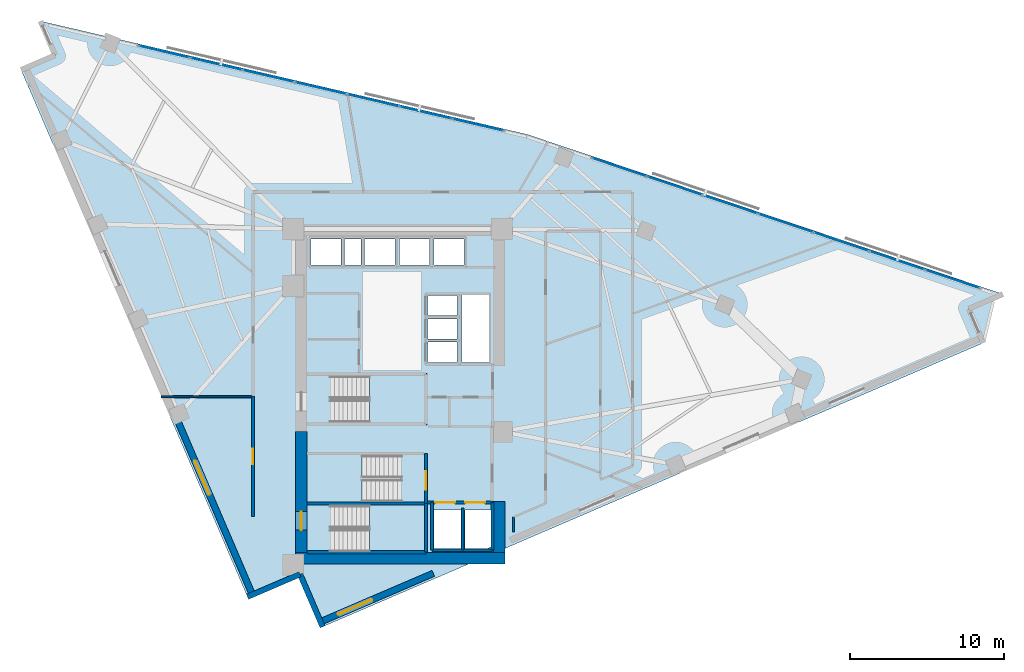
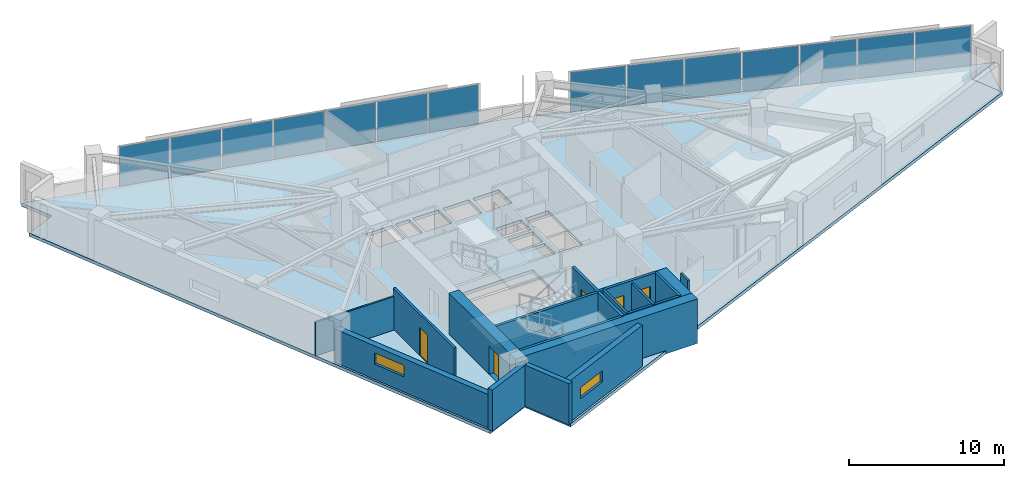
# One storey, part 8 of 14: 19 walls, 14 plates, 5 doors, 5 slabs, 2 windows, 7 openings, 5 elements without a shape of their own.
"""IFC4 building model written with IfcOpenShell, lengths in metres."""

from ifc_helpers import new_model, si_unit, direction, frame, frame_2d, origin, origin_2d, place, context, subcontext, project, spatial, polyline, rectangle, outline, extrude, material, layer, layer_set, type_object, element, fill, aggregate, save


model = new_model("IFC4")

# Units and contexts
model_context = context("Model", 3, precision=1e-05, world=origin(), true_north=direction((0.0, 1.0)))
body_context = subcontext(model_context, "Body", "Model", "MODEL_VIEW")
ifc_project = project(units=[si_unit("LENGTHUNIT", "METRE"), si_unit("AREAUNIT", "SQUARE_METRE"), si_unit("VOLUMEUNIT", "CUBIC_METRE"), si_unit("PLANEANGLEUNIT", "RADIAN"), si_unit("MASSUNIT", "GRAM", prefix="KILO")], contexts=[model_context])

# Site, building, storey
site_placement = place(None, origin())
site = spatial("IfcSite", under=ifc_project, at=site_placement, CompositionType="ELEMENT")
building_placement = place(site_placement, origin())
building = spatial("IfcBuilding", under=site, at=building_placement, Name="Narakoshi Arena Tower", CompositionType="ELEMENT")
storey_placement = place(building_placement, frame((0.0, 0.0, 182.6201171875)))
storey = spatial("IfcBuildingStorey", under=building, at=storey_placement, Name="L49", CompositionType="ELEMENT", Elevation=182.6201171875)

# Curtain wall, plates
ifc_material_1 = material(Name="Anodised bronze aluminium 6063-T6", Category="aluminium")
curtain_wall_type = type_object("IfcCurtainWallType", Name="CW-HYP-MID", PredefinedType="NOTDEFINED", material=ifc_material_1)
curtain_wall_1_placement = place(storey_placement, origin())
curtain_wall_1 = element("IfcCurtainWall", 1, at=curtain_wall_1_placement, inside=storey, type_object=curtain_wall_type, Name="L49 Folded Hypotenuse Curtain Wall 1-1", PredefinedType="NOTDEFINED")
ifc_material_2 = material(Name="Bronze-tinted low-E laminated glass", Category="glass")
ifc_layer_1 = layer(ifc_material_2, 0.0380859375)
ifc_layer_set_1 = layer_set([ifc_layer_1], Name="Bronze-tinted low-E laminated glass")
plate_type = type_object("IfcPlateType", Name="PLT-GLZ-38", PredefinedType="CURTAIN_PANEL", material=ifc_layer_set_1)
plate_1_placement = place(storey_placement, frame((114.78466796875, 53.2509765625, 0.06494140625), z_axis=(0.0, 0.0, 1.0), x_axis=(-0.948003144077, 0.318260960253, 0.0)))
plate_1 = element("IfcPlate", 2, at=plate_1_placement, type_object=plate_type, Name="CW-02 panel 1.1", PredefinedType="CURTAIN_PANEL", context=body_context, shape_type="SweptSolid", body=[
    extrude(rectangle(XDim=3.69287109375, YDim=0.0380859375, at=origin_2d()), origin(), (0.0, 0.0, 1.0), 3.1298828125),
])
plate_2_placement = place(storey_placement, frame((111.19482421875, 54.4560546875, 0.06494140625), z_axis=(0.0, 0.0, 1.0), x_axis=(-0.948003144077, 0.318260960253, 0.0)))
plate_2 = element("IfcPlate", 3, at=plate_2_placement, type_object=plate_type, Name="CW-02 panel 2.1", PredefinedType="CURTAIN_PANEL", context=body_context, shape_type="SweptSolid", body=[
    extrude(rectangle(XDim=3.73046875, YDim=0.0380859375, at=origin_2d()), origin(), (0.0, 0.0, 1.0), 3.1298828125),
])
plate_3_placement = place(storey_placement, frame((107.58740234375, 55.667236328125, 0.06494140625), z_axis=(0.0, 0.0, 1.0), x_axis=(-0.948003144077, 0.318260960253, 0.0)))
plate_3 = element("IfcPlate", 4, at=plate_3_placement, type_object=plate_type, Name="CW-02 panel 3.1", PredefinedType="CURTAIN_PANEL", context=body_context, shape_type="SweptSolid", body=[
    extrude(rectangle(XDim=3.73046875, YDim=0.0380859375, at=origin_2d()), origin(), (0.0, 0.0, 1.0), 3.1298828125),
])
plate_4_placement = place(storey_placement, frame((103.979736328125, 56.87841796875, 0.06494140625), z_axis=(0.0, 0.0, 1.0), x_axis=(-0.948003144077, 0.318260960253, 0.0)))
plate_4 = element("IfcPlate", 5, at=plate_4_placement, type_object=plate_type, Name="CW-02 panel 4.1", PredefinedType="CURTAIN_PANEL", context=body_context, shape_type="SweptSolid", body=[
    extrude(rectangle(XDim=3.73046875, YDim=0.0380859375, at=origin_2d()), origin(), (0.0, 0.0, 1.0), 3.1298828125),
])
plate_5_placement = place(storey_placement, frame((100.3720703125, 58.089599609375, 0.06494140625), z_axis=(0.0, 0.0, 1.0), x_axis=(-0.948003144077, 0.318260960253, 0.0)))
plate_5 = element("IfcPlate", 6, at=plate_5_placement, type_object=plate_type, Name="CW-02 panel 5.1", PredefinedType="CURTAIN_PANEL", context=body_context, shape_type="SweptSolid", body=[
    extrude(rectangle(XDim=3.73046875, YDim=0.0380859375, at=origin_2d()), origin(), (0.0, 0.0, 1.0), 3.1298828125),
])
plate_6_placement = place(storey_placement, frame((96.7646484375, 59.300537109375, 0.06494140625), z_axis=(0.0, 0.0, 1.0), x_axis=(-0.948003144077, 0.318260960253, 0.0)))
plate_6 = element("IfcPlate", 7, at=plate_6_placement, type_object=plate_type, Name="CW-02 panel 6.1", PredefinedType="CURTAIN_PANEL", context=body_context, shape_type="SweptSolid", body=[
    extrude(rectangle(XDim=3.73046875, YDim=0.0380859375, at=origin_2d()), origin(), (0.0, 0.0, 1.0), 3.1298828125),
])
plate_7_placement = place(storey_placement, frame((93.1748046875, 60.505859375, 0.06494140625), z_axis=(0.0, 0.0, 1.0), x_axis=(-0.948003144077, 0.318260960253, 0.0)))
plate_7 = element("IfcPlate", 8, at=plate_7_placement, type_object=plate_type, Name="CW-02 panel 7.1", PredefinedType="CURTAIN_PANEL", context=body_context, shape_type="SweptSolid", body=[
    extrude(rectangle(XDim=3.69287109375, YDim=0.0380859375, at=origin_2d()), origin(), (0.0, 0.0, 1.0), 3.1298828125),
])
aggregate(curtain_wall_1, [plate_1, plate_2, plate_3, plate_4, plate_5, plate_6, plate_7])

curtain_wall_2_placement = place(storey_placement, origin())
curtain_wall_2 = element("IfcCurtainWall", 9, at=curtain_wall_2_placement, inside=storey, type_object=curtain_wall_type, Name="L49 Folded Hypotenuse Curtain Wall 2-1", PredefinedType="NOTDEFINED")
plate_8_placement = place(storey_placement, frame((83.994384765625, 63.260986328125, 0.06494140625), z_axis=(0.0, 0.0, 1.0), x_axis=(-0.973959704148, 0.226721182724, 0.0)))
plate_8 = element("IfcPlate", 10, at=plate_8_placement, type_object=plate_type, Name="CW-02 panel 1.1", PredefinedType="CURTAIN_PANEL", context=body_context, shape_type="SweptSolid", body=[
    extrude(rectangle(XDim=3.37939453125, YDim=0.0380859375, at=origin_2d()), origin(), (0.0, 0.0, 1.0), 3.1298828125),
])
plate_9_placement = place(storey_placement, frame((80.61181640625, 64.048583984375, 0.06494140625), z_axis=(0.0, 0.0, 1.0), x_axis=(-0.973959704148, 0.226721182724, 0.0)))
plate_9 = element("IfcPlate", 11, at=plate_9_placement, type_object=plate_type, Name="CW-02 panel 2.1", PredefinedType="CURTAIN_PANEL", context=body_context, shape_type="SweptSolid", body=[
    extrude(rectangle(XDim=3.416748046875, YDim=0.0380859375, at=origin_2d()), origin(), (0.0, 0.0, 1.0), 3.1298828125),
])
plate_10_placement = place(storey_placement, frame((77.2109375, 64.840087890625, 0.06494140625), z_axis=(0.0, 0.0, 1.0), x_axis=(-0.973959704148, 0.226721182724, 0.0)))
plate_10 = element("IfcPlate", 12, at=plate_10_placement, type_object=plate_type, Name="CW-02 panel 3.1", PredefinedType="CURTAIN_PANEL", context=body_context, shape_type="SweptSolid", body=[
    extrude(rectangle(XDim=3.416748046875, YDim=0.0380859375, at=origin_2d()), origin(), (0.0, 0.0, 1.0), 3.1298828125),
])
plate_11_placement = place(storey_placement, frame((73.81005859375, 65.6318359375, 0.06494140625), z_axis=(0.0, 0.0, 1.0), x_axis=(-0.973959704148, 0.226721182724, 0.0)))
plate_11 = element("IfcPlate", 13, at=plate_11_placement, type_object=plate_type, Name="CW-02 panel 4.1", PredefinedType="CURTAIN_PANEL", context=body_context, shape_type="SweptSolid", body=[
    extrude(rectangle(XDim=3.416748046875, YDim=0.0380859375, at=origin_2d()), origin(), (0.0, 0.0, 1.0), 3.1298828125),
])
plate_12_placement = place(storey_placement, frame((70.4091796875, 66.423583984375, 0.06494140625), z_axis=(0.0, 0.0, 1.0), x_axis=(-0.973959704148, 0.226721182724, 0.0)))
plate_12 = element("IfcPlate", 14, at=plate_12_placement, type_object=plate_type, Name="CW-02 panel 5.1", PredefinedType="CURTAIN_PANEL", context=body_context, shape_type="SweptSolid", body=[
    extrude(rectangle(XDim=3.416748046875, YDim=0.0380859375, at=origin_2d()), origin(), (0.0, 0.0, 1.0), 3.1298828125),
])
plate_13_placement = place(storey_placement, frame((67.00830078125, 67.215087890625, 0.06494140625), z_axis=(0.0, 0.0, 1.0), x_axis=(-0.973959704148, 0.226721182724, 0.0)))
plate_13 = element("IfcPlate", 15, at=plate_13_placement, type_object=plate_type, Name="CW-02 panel 6.1", PredefinedType="CURTAIN_PANEL", context=body_context, shape_type="SweptSolid", body=[
    extrude(rectangle(XDim=3.416748046875, YDim=0.0380859375, at=origin_2d()), origin(), (0.0, 0.0, 1.0), 3.1298828125),
])
plate_14_placement = place(storey_placement, frame((63.625732421875, 68.002685546875, 0.06494140625), z_axis=(0.0, 0.0, 1.0), x_axis=(-0.973959704148, 0.226721182724, 0.0)))
plate_14 = element("IfcPlate", 16, at=plate_14_placement, type_object=plate_type, Name="CW-02 panel 7.1", PredefinedType="CURTAIN_PANEL", context=body_context, shape_type="SweptSolid", body=[
    extrude(rectangle(XDim=3.37939453125, YDim=0.0380859375, at=origin_2d()), origin(), (0.0, 0.0, 1.0), 3.1298828125),
])
aggregate(curtain_wall_2, [plate_8, plate_9, plate_10, plate_11, plate_12, plate_13, plate_14])

# Stair, slab
ifc_material_3 = material(Name="Concrete C45/55", Category="concrete")
stair_type = type_object("IfcStairType", Name="STR-CORE-352", PredefinedType="TWO_STRAIGHT_RUN_STAIR", material=ifc_material_3)
stair_1_placement = place(storey_placement, origin())
stair_1 = element("IfcStair", 17, at=stair_1_placement, inside=storey, type_object=stair_type, Name="L49 Core Escape Stair ST1", PredefinedType="TWO_STRAIGHT_RUN_STAIR")
ifc_layer_2 = layer(ifc_material_3, 0.18994140625)
ifc_layer_set_2 = layer_set([ifc_layer_2], Name="Concrete C45/55")
slab_type_1 = type_object("IfcSlabType", Name="SLB-LND-190", PredefinedType="LANDING", material=ifc_layer_set_2)
slab_1_placement = place(storey_placement, frame((0.0, 0.0, 1.56982421875)))
slab_1 = element("IfcSlab", 18, at=slab_1_placement, type_object=slab_type_1, Name="ST1 landing 1", PredefinedType="LANDING", context=body_context, shape_type="SweptSolid", body=[
    extrude(outline(polyline([(76.965087890625, 35.3701171875), (80.679931640625, 35.3701171875), (80.679931640625, 38.72998046875), (76.965087890625, 38.72998046875), (76.965087890625, 35.3701171875)])), origin(), (0.0, 0.0, 1.0), 0.18994140625),
])
aggregate(stair_1, [slab_1])

stair_2_placement = place(storey_placement, origin())
stair_2 = element("IfcStair", 19, at=stair_2_placement, inside=storey, type_object=stair_type, Name="L49 Core Escape Stair ST2", PredefinedType="TWO_STRAIGHT_RUN_STAIR")
slab_2_placement = place(storey_placement, frame((0.0, 0.0, 1.56982421875)))
slab_2 = element("IfcSlab", 20, at=slab_2_placement, type_object=slab_type_1, Name="ST2 landing 1", PredefinedType="LANDING", context=body_context, shape_type="SweptSolid", body=[
    extrude(outline(polyline([(72.77001953125, 38.6201171875), (76.485107421875, 38.6201171875), (76.485107421875, 41.97998046875), (72.77001953125, 41.97998046875), (72.77001953125, 38.6201171875)])), origin(), (0.0, 0.0, 1.0), 0.18994140625),
])
aggregate(stair_2, [slab_2])

stair_3_placement = place(storey_placement, origin())
stair_3 = element("IfcStair", 21, at=stair_3_placement, inside=storey, type_object=stair_type, Name="L49 Core Escape Stair ST3", PredefinedType="TWO_STRAIGHT_RUN_STAIR")
slab_3_placement = place(storey_placement, frame((0.0, 0.0, 1.56982421875)))
slab_3 = element("IfcSlab", 22, at=slab_3_placement, type_object=slab_type_1, Name="ST3 landing 1", PredefinedType="LANDING", context=body_context, shape_type="SweptSolid", body=[
    extrude(outline(polyline([(76.965087890625, 43.77001953125), (80.679931640625, 43.77001953125), (80.679931640625, 47.1298828125), (76.965087890625, 47.1298828125), (76.965087890625, 43.77001953125)])), origin(), (0.0, 0.0, 1.0), 0.18994140625),
])
aggregate(stair_3, [slab_3])

# Slabs
ifc_material_4 = material(Name="Concrete C50/60", Category="concrete")
ifc_layer_3 = layer(ifc_material_4, 0.260009765625)
ifc_layer_set_3 = layer_set([ifc_layer_3], Name="Concrete C50/60")
slab_type_2 = type_object("IfcSlabType", Name="SLB-SKY-260", PredefinedType="FLOOR", material=ifc_layer_set_3)
slab_4_placement = place(storey_placement, frame((0.0, 0.0, -0.260009765625)))
element("IfcSlab", 23, at=slab_4_placement, inside=storey, type_object=slab_type_2, Name="L49 Structural Floor Slab", PredefinedType="FLOOR", context=body_context, shape_type="SweptSolid", body=[
    extrude(outline(polyline([(73.9169921875, 30.68115234375), (116.8017578125, 49.105712890625), (115.84912109375, 51.3232421875), (118.06640625, 52.27587890625), (87.201416015625, 62.6376953125), (55.614013671875, 69.99072265625), (56.56640625, 67.7734375), (54.34912109375, 66.82080078125), (69.0400390625, 32.626708984375), (72.451416015625, 34.09228515625), (73.9169921875, 30.68115234375)]), holes=[polyline([(80.5, 35.550048828125), (74.47998046875, 35.550048828125), (74.47998046875, 38.550048828125), (80.5, 38.550048828125), (80.5, 35.550048828125)]), polyline([(82.89990234375, 35.75), (81.14990234375, 35.75), (81.14990234375, 38.25), (82.89990234375, 38.25), (82.89990234375, 35.75)]), polyline([(84.5751953125, 35.75), (83.14990234375, 35.75), (83.14990234375, 38.25), (84.89990234375, 38.25), (84.89990234375, 35.889404296875), (84.5751953125, 35.75)]), polyline([(72.949951171875, 38.800048828125), (72.949951171875, 41.800048828125), (78.969970703125, 41.800048828125), (78.969970703125, 38.800048828125), (72.949951171875, 38.800048828125)]), polyline([(74.47998046875, 43.949951171875), (74.47998046875, 46.949951171875), (80.5, 46.949951171875), (80.5, 43.949951171875), (74.47998046875, 43.949951171875)]), polyline([(82.949951171875, 47.840087890625), (82.949951171875, 52.199951171875), (84.699951171875, 52.199951171875), (84.699951171875, 47.840087890625), (82.949951171875, 47.840087890625)]), polyline([(80.75, 47.85009765625), (80.75, 49.14990234375), (82.64990234375, 49.14990234375), (82.64990234375, 47.85009765625), (80.75, 47.85009765625)]), polyline([(80.75, 49.3701171875), (80.75, 50.669921875), (82.64990234375, 50.669921875), (82.64990234375, 49.3701171875), (80.75, 49.3701171875)]), polyline([(80.75, 50.889892578125), (80.75, 52.18994140625), (82.64990234375, 52.18994140625), (82.64990234375, 50.889892578125), (80.75, 50.889892578125)]), polyline([(73.14990234375, 54.14990234375), (73.14990234375, 55.85009765625), (75.10009765625, 55.85009765625), (75.10009765625, 54.14990234375), (73.14990234375, 54.14990234375)]), polyline([(75.35009765625, 54.14990234375), (75.35009765625, 55.85009765625), (76.39990234375, 55.85009765625), (76.39990234375, 54.14990234375), (75.35009765625, 54.14990234375)]), polyline([(76.64990234375, 54.14990234375), (76.64990234375, 55.85009765625), (78.60009765625, 55.85009765625), (78.60009765625, 54.14990234375), (76.64990234375, 54.14990234375)]), polyline([(78.89990234375, 54.14990234375), (78.89990234375, 55.85009765625), (80.85009765625, 55.85009765625), (80.85009765625, 54.14990234375), (78.89990234375, 54.14990234375)]), polyline([(81.14990234375, 54.14990234375), (81.14990234375, 55.85009765625), (83.10009765625, 55.85009765625), (83.10009765625, 54.14990234375), (81.14990234375, 54.14990234375)])]), origin(), (0.0, 0.0, 1.0), 0.260009765625),
])
ifc_layer_4 = layer(ifc_material_3, 0.239990234375)
ifc_layer_set_4 = layer_set([ifc_layer_4], Name="Concrete C45/55")
slab_type_3 = type_object("IfcSlabType", Name="SLB-TERR-240", PredefinedType="ROOF", material=ifc_layer_set_4)
slab_5_placement = place(storey_placement, frame((0.0, 0.0, -0.240234375)))
element("IfcSlab", 24, at=slab_5_placement, inside=storey, type_object=slab_type_3, Name="L49 Corner Notch Loggia Balcony Slab", PredefinedType="ROOF", context=body_context, shape_type="SweptSolid", body=[
    extrude(outline(polyline([(117.489013671875, 52.02587890625), (115.85205078125, 51.322021484375), (116.802978515625, 49.10888671875), (117.489013671875, 52.02587890625)])), origin(), (0.0, 0.0, 1.0), 0.240234375),
])

# Wall, opening, door
ifc_layer_5 = layer(ifc_material_4, 0.75)
ifc_layer_set_5 = layer_set([ifc_layer_5], Name="Concrete C50/60")
wall_type_1 = type_object("IfcWallType", Name="WL-CORE-750", PredefinedType="SHEAR", material=ifc_layer_set_5)
wall_1_placement = place(storey_placement, frame((72.52490234375, 35.5, -0.260009765625), z_axis=(0.0, 0.0, 1.0), x_axis=(0.0, 1.0, 0.0)))
wall_1 = element("IfcWall", 25, at=wall_1_placement, inside=storey, type_object=wall_type_1, Name="L49 Central Core Shear Wall CW-APX-W", PredefinedType="SHEAR", context=body_context, shape_type="SweptSolid", body=[
    extrude(rectangle(XDim=7.85009765625, YDim=0.75, at=frame_2d((3.925048828125, 0.0))), origin(), (0.0, 0.0, 1.0), 3.519775390625),
])
opening_1_placement = place(wall_1_placement, frame((1.449951171875, 0.0, 0.260009765625)))
opening_1 = element("IfcOpeningElement", 26, at=opening_1_placement, cuts=wall_1, Name="Opening D-03", PredefinedType="OPENING", context=body_context, shape_type="SweptSolid", body=[
    extrude(rectangle(XDim=1.199951171875, YDim=2.199951171875, at=frame_2d((0.60009765625, 1.10009765625))), frame((0.0, 0.385009765625, 0.0), z_axis=(0.0, -1.0, 0.0), x_axis=(1.0, 0.0, 0.0)), (0.0, 0.0, 1.0), 0.77001953125),
])
ifc_material_5 = material(Name="Painted galvanized steel", Category="steel")
door_type_1 = type_object("IfcDoorType", Name="DR-STR-1200", OperationType="NOTDEFINED", PredefinedType="USERDEFINED", material=ifc_material_5)
door_1_placement = place(opening_1_placement, frame((1.199951171875, 0.0, 0.0), z_axis=(0.0, 0.0, 1.0), x_axis=(-1.0, 0.0, 0.0)))
door_1 = element("IfcDoor", 27, at=door_1_placement, inside=storey, type_object=door_type_1, Name="DR-L49-001", ObjectType="EXITDOOR", OperationType="SINGLE_SWING_LEFT", OverallHeight=2.199951171875, OverallWidth=1.199951171875, PredefinedType="USERDEFINED", context=body_context, shape_type="SweptSolid", body=[
    extrude(rectangle(XDim=1.199951171875, YDim=2.199951171875, at=frame_2d((0.60009765625, 1.10009765625))), frame((0.0, 0.02490234375, 0.0), z_axis=(0.0, -1.0, 0.0), x_axis=(1.0, 0.0, 0.0)), (0.0, 0.0, 1.0), 0.050048828125),
])
fill(opening_1, door_1)

# Walls
wall_2_placement = place(storey_placement, frame((72.14990234375, 35.125, -0.260009765625), z_axis=(0.0, 0.0, 1.0), x_axis=(1.0, 0.0, 0.0)))
element("IfcWall", 28, at=wall_2_placement, inside=storey, type_object=wall_type_1, Name="L49 Central Core Shear Wall CW-APX-S", PredefinedType="SHEAR", context=body_context, shape_type="SweptSolid", body=[
    extrude(rectangle(XDim=13.60009765625, YDim=0.75, at=frame_2d((6.800048828125, 0.0))), origin(), (0.0, 0.0, 1.0), 3.519775390625),
])
wall_3_placement = place(storey_placement, frame((85.375, 35.5, -0.260009765625), z_axis=(0.0, 0.0, 1.0), x_axis=(0.0, 1.0, 0.0)))
element("IfcWall", 29, at=wall_3_placement, inside=storey, type_object=wall_type_1, Name="L49 Central Core Shear Wall CW-APX-E", PredefinedType="SHEAR", context=body_context, shape_type="SweptSolid", body=[
    extrude(rectangle(XDim=3.300048828125, YDim=0.75, at=frame_2d((1.64990234375, 0.0))), origin(), (0.0, 0.0, 1.0), 3.519775390625),
])

# Wall, opening, door
ifc_material_6 = material(Name="Gypsum plasterboard fire-rated partition")
ifc_layer_6 = layer(ifc_material_6, 0.1650390625)
ifc_layer_set_6 = layer_set([ifc_layer_6], Name="Gypsum plasterboard fire-rated partition")
wall_type_2 = type_object("IfcWallType", Name="WL-CORR-165", PredefinedType="PARTITIONING", material=ifc_layer_set_6)
wall_4_placement = place(storey_placement, frame((69.39990234375, 45.6455078125, 0.0), z_axis=(0.0, 0.0, 1.0), x_axis=(0.0, -1.0, 0.0)))
wall_4 = element("IfcWall", 30, at=wall_4_placement, inside=storey, type_object=wall_type_2, Name="L49 Corridor Partition 01-1", PredefinedType="PARTITIONING", context=body_context, shape_type="SweptSolid", body=[
    extrude(rectangle(XDim=7.820068359375, YDim=0.1650390625, at=frame_2d((3.91015625, 0.0))), origin(), (0.0, 0.0, 1.0), 3.259765625),
])
opening_2_placement = place(wall_4_placement, frame((3.409912109375, 0.0, 0.0)))
opening_2 = element("IfcOpeningElement", 31, at=opening_2_placement, cuts=wall_4, Name="Opening D-06", PredefinedType="OPENING", context=body_context, shape_type="SweptSolid", body=[
    extrude(rectangle(XDim=1.0, YDim=2.199951171875, at=frame_2d((0.5, 1.10009765625))), frame((0.0, 0.092529296875, 0.0), z_axis=(0.0, -1.0, 0.0), x_axis=(1.0, 0.0, 0.0)), (0.0, 0.0, 1.0), 0.18505859375),
])
ifc_material_7 = material(Name="Stained oak solid-core timber", Category="wood")
door_type_2 = type_object("IfcDoorType", Name="DR-OFF-1000", OperationType="NOTDEFINED", PredefinedType="DOOR", material=ifc_material_7)
door_2_placement = place(opening_2_placement, frame((1.0, 0.0, 0.0), z_axis=(0.0, 0.0, 1.0), x_axis=(-1.0, 0.0, 0.0)))
door_2 = element("IfcDoor", 32, at=door_2_placement, inside=storey, type_object=door_type_2, Name="DR-L49-015", OperationType="SINGLE_SWING_LEFT", OverallHeight=2.199951171875, OverallWidth=1.0, PredefinedType="DOOR", context=body_context, shape_type="SweptSolid", body=[
    extrude(rectangle(XDim=1.0, YDim=2.199951171875, at=frame_2d((0.5, 1.10009765625))), frame((0.0, 0.02490234375, 0.0), z_axis=(0.0, -1.0, 0.0), x_axis=(1.0, 0.0, 0.0)), (0.0, 0.0, 1.0), 0.050048828125),
])
fill(opening_2, door_2)

# Wall
ifc_layer_7 = layer(ifc_material_6, 0.125)
ifc_layer_set_7 = layer_set([ifc_layer_7], Name="Gypsum plasterboard fire-rated partition")
wall_type_3 = type_object("IfcWallType", Name="WL-PART-125", PredefinedType="PARTITIONING", material=ifc_layer_set_7)
wall_5_placement = place(storey_placement, frame((63.46044921875, 45.61376953125, 0.0), z_axis=(0.0, 0.0, 1.0), x_axis=(0.999999747894, -0.000710078765, 0.0)))
element("IfcWall", 33, at=wall_5_placement, inside=storey, type_object=wall_type_3, Name="L49 Inter-Room Partition 01-09", PredefinedType="PARTITIONING", context=body_context, shape_type="SweptSolid", body=[
    extrude(rectangle(XDim=5.844970703125, YDim=0.125, at=frame_2d((2.92236328125, 0.0))), origin(), (0.0, 0.0, 1.0), 2.644775390625),
])

# Wall, opening, window
ifc_material_8 = material(Name="Precast concrete C45/55", Category="concrete")
ifc_layer_8 = layer(ifc_material_8, 0.419921875)
ifc_layer_set_8 = layer_set([ifc_layer_8], Name="Precast concrete C45/55")
wall_type_4 = type_object("IfcWallType", Name="WL-POD-420", PredefinedType="SOLIDWALL", material=ifc_layer_set_8)
wall_6_placement = place(storey_placement, frame((73.77880859375, 31.002685546875, 0.0), z_axis=(0.0, 0.0, 1.0), x_axis=(0.918797817688, 0.394728476565, 0.0)))
wall_6 = element("IfcWall", 34, at=wall_6_placement, inside=storey, type_object=wall_type_4, Name="L49 Architectural Concrete Facade Wall LEGA-1", PredefinedType="SOLIDWALL", context=body_context, shape_type="SweptSolid", body=[
    extrude(rectangle(XDim=7.97314453125, YDim=0.419921875, at=frame_2d((3.986572265625, 0.0))), origin(), (0.0, 0.0, 1.0), 3.259765625),
])
opening_3_placement = place(wall_6_placement, frame((1.234130859375, 0.0, 1.199951171875)))
opening_3 = element("IfcOpeningElement", 35, at=opening_3_placement, cuts=wall_6, Name="Opening WN-01", PredefinedType="OPENING", context=body_context, shape_type="SweptSolid", body=[
    extrude(rectangle(XDim=2.39990234375, YDim=0.89990234375, at=frame_2d((1.199951171875, 0.449951171875))), frame((0.0, 0.219970703125, 0.0), z_axis=(0.0, -1.0, 0.0), x_axis=(1.0, 0.0, 0.0)), (0.0, 0.0, 1.0), 0.43994140625),
])
window_type = type_object("IfcWindowType", Name="WIN-SLT-24x09", PartitioningType="SINGLE_PANEL", PredefinedType="WINDOW", material=ifc_material_2)
window_1_placement = place(opening_3_placement, origin())
window_1 = element("IfcWindow", 36, at=window_1_placement, inside=storey, type_object=window_type, Name="L49 LEGA1 Horizontal Slot Window 1", OverallHeight=0.89990234375, OverallWidth=2.39990234375, PartitioningType="SINGLE_PANEL", PredefinedType="WINDOW", context=body_context, shape_type="SweptSolid", body=[
    extrude(rectangle(XDim=2.39990234375, YDim=0.89990234375, at=frame_2d((1.199951171875, 0.449951171875))), frame((0.0, 0.030029296875, 0.0), z_axis=(0.0, -1.0, 0.0), x_axis=(1.0, 0.0, 0.0)), (0.0, 0.0, 1.0), 0.06005859375),
])
fill(opening_3, window_1)

wall_7_placement = place(storey_placement, frame((64.36669921875, 44.390869140625, 0.0), z_axis=(0.0, 0.0, 1.0), x_axis=(0.394757430431, -0.918785378159, 0.0)))
wall_7 = element("IfcWall", 37, at=wall_7_placement, inside=storey, type_object=wall_type_4, Name="L49 Architectural Concrete Facade Wall LEGB-3", PredefinedType="SOLIDWALL", context=body_context, shape_type="SweptSolid", body=[
    extrude(rectangle(XDim=12.653564453125, YDim=0.419921875, at=frame_2d((6.32666015625, 0.0))), origin(), (0.0, 0.0, 1.0), 2.644775390625),
])
opening_4_placement = place(wall_7_placement, frame((3.193115234375, 0.0, 1.199951171875)))
opening_4 = element("IfcOpeningElement", 38, at=opening_4_placement, cuts=wall_7, Name="Opening WN-01", PredefinedType="OPENING", context=body_context, shape_type="SweptSolid", body=[
    extrude(rectangle(XDim=2.39990234375, YDim=0.89990234375, at=frame_2d((1.199951171875, 0.449951171875))), frame((0.0, 0.219970703125, 0.0), z_axis=(0.0, -1.0, 0.0), x_axis=(1.0, 0.0, 0.0)), (0.0, 0.0, 1.0), 0.43994140625),
])
window_2_placement = place(opening_4_placement, origin())
window_2 = element("IfcWindow", 39, at=window_2_placement, inside=storey, type_object=window_type, Name="L49 LEGB3 Horizontal Slot Window 1", OverallHeight=0.89990234375, OverallWidth=2.39990234375, PartitioningType="SINGLE_PANEL", PredefinedType="WINDOW", context=body_context, shape_type="SweptSolid", body=[
    extrude(rectangle(XDim=2.39990234375, YDim=0.89990234375, at=frame_2d((1.199951171875, 0.449951171875))), frame((0.0, 0.030029296875, 0.0), z_axis=(0.0, -1.0, 0.0), x_axis=(1.0, 0.0, 0.0)), (0.0, 0.0, 1.0), 0.06005859375),
])
fill(opening_4, window_2)

# Walls
wall_8_placement = place(storey_placement, frame((69.0400390625, 32.626708984375, 0.0), z_axis=(0.0, 0.0, 1.0), x_axis=(0.91879775808, 0.394728615312, 0.0)))
element("IfcWall", 40, at=wall_8_placement, inside=storey, type_object=wall_type_4, Name="L49 Re-Entrant Corner Notch Wall NTA-1", PredefinedType="SOLIDWALL", context=body_context, shape_type="SweptSolid", body=[
    extrude(rectangle(XDim=3.712890625, YDim=0.360107421875, at=frame_2d((1.8564453125, 0.0))), origin(), (0.0, 0.0, 1.0), 3.259765625),
])
wall_9_placement = place(storey_placement, frame((72.451416015625, 34.09228515625, 0.0), z_axis=(0.0, 0.0, 1.0), x_axis=(0.394752464447, -0.918787511786, 0.0)))
element("IfcWall", 41, at=wall_9_placement, inside=storey, type_object=wall_type_4, Name="L49 Re-Entrant Corner Notch Wall NTA-2", PredefinedType="SOLIDWALL", context=body_context, shape_type="SweptSolid", body=[
    extrude(rectangle(XDim=3.712646484375, YDim=0.360107421875, at=frame_2d((1.8564453125, 0.0))), origin(), (0.0, 0.0, 1.0), 3.259765625),
])
ifc_material_9 = material(Name="Concrete C40/50", Category="concrete")
ifc_layer_9 = layer(ifc_material_9, 0.280029296875)
ifc_layer_set_9 = layer_set([ifc_layer_9], Name="Concrete C40/50")
wall_type_5 = type_object("IfcWallType", Name="WL-RISER-280", PredefinedType="PLUMBINGWALL", material=ifc_layer_set_9)
wall_10_placement = place(storey_placement, frame((83.0, 35.64990234375, 0.0), z_axis=(0.0, 0.0, 1.0), x_axis=(0.0, 1.0, 0.0)))
element("IfcWall", 42, at=wall_10_placement, inside=storey, type_object=wall_type_5, Name="L49 Core Wall FF-DIV", PredefinedType="PLUMBINGWALL", context=body_context, shape_type="SweptSolid", body=[
    extrude(rectangle(XDim=2.75, YDim=0.159912109375, at=frame_2d((1.375, 0.0))), origin(), (0.0, 0.0, 1.0), 3.259765625),
])
ifc_layer_10 = layer(ifc_material_4, 0.35009765625)
ifc_layer_set_10 = layer_set([ifc_layer_10], Name="Concrete C50/60")
wall_type_6 = type_object("IfcWallType", Name="WL-SHAFT-350", PredefinedType="SOLIDWALL", material=ifc_layer_set_10)
for number, where, z_axis, x_axis, name in (
    (43, (72.919921875, 35.52001953125, -0.260009765625), (0.0, 0.0, 1.0), (1.0, 0.0, 0.0), "L49 Core Wall ST1-S"),
    (44, (72.919921875, 38.675048828125, -0.260009765625), (0.0, 0.0, 1.0), (1.0, 0.0, 0.0), "L49 Core Wall ST12-DIV"),
):
    element("IfcWall", number, at=place(storey_placement, frame(where, z_axis=z_axis, x_axis=x_axis)), inside=storey, type_object=wall_type_6, Name=name, PredefinedType="SOLIDWALL", context=body_context, shape_type="SweptSolid", body=[
        extrude(rectangle(XDim=7.7001953125, YDim=0.199951171875, at=frame_2d((3.85009765625, 0.0))), origin(), (0.0, 0.0, 1.0), 3.519775390625),
    ])
wall_11_placement = place(storey_placement, frame((80.6201171875, 35.52001953125, -0.260009765625), z_axis=(0.0, 0.0, 1.0), x_axis=(0.0, 1.0, 0.0)))
element("IfcWall", 45, at=wall_11_placement, inside=storey, type_object=wall_type_6, Name="L49 Core Wall ST1-E", PredefinedType="SOLIDWALL", context=body_context, shape_type="SweptSolid", body=[
    extrude(rectangle(XDim=3.155029296875, YDim=0.199951171875, at=frame_2d((1.57763671875, 0.0))), origin(), (0.0, 0.0, 1.0), 3.519775390625),
])

# Wall, opening, door
wall_12_placement = place(storey_placement, frame((80.6201171875, 38.675048828125, -0.260009765625), z_axis=(0.0, 0.0, 1.0), x_axis=(0.0, 1.0, 0.0)))
wall_12 = element("IfcWall", 46, at=wall_12_placement, inside=storey, type_object=wall_type_6, Name="L49 Core Wall ST2-E", PredefinedType="SOLIDWALL", context=body_context, shape_type="SweptSolid", body=[
    extrude(rectangle(XDim=3.244873046875, YDim=0.199951171875, at=frame_2d((1.62255859375, 0.0))), origin(), (0.0, 0.0, 1.0), 3.519775390625),
])
opening_5_placement = place(wall_12_placement, frame((0.89990234375, 0.0, 0.260009765625)))
opening_5 = element("IfcOpeningElement", 47, at=opening_5_placement, cuts=wall_12, Name="Opening D-03", PredefinedType="OPENING", context=body_context, shape_type="SweptSolid", body=[
    extrude(rectangle(XDim=1.199951171875, YDim=2.199951171875, at=frame_2d((0.60009765625, 1.10009765625))), frame((0.0, 0.10986328125, 0.0), z_axis=(0.0, -1.0, 0.0), x_axis=(1.0, 0.0, 0.0)), (0.0, 0.0, 1.0), 0.219970703125),
])
door_3_placement = place(opening_5_placement, origin())
door_3 = element("IfcDoor", 48, at=door_3_placement, inside=storey, type_object=door_type_1, Name="DR-L49-002", ObjectType="EXITDOOR", OperationType="SINGLE_SWING_RIGHT", OverallHeight=2.199951171875, OverallWidth=1.199951171875, PredefinedType="USERDEFINED", context=body_context, shape_type="SweptSolid", body=[
    extrude(rectangle(XDim=1.199951171875, YDim=2.199951171875, at=frame_2d((0.60009765625, 1.10009765625))), frame((0.0, 0.02490234375, 0.0), z_axis=(0.0, -1.0, 0.0), x_axis=(1.0, 0.0, 0.0)), (0.0, 0.0, 1.0), 0.050048828125),
])
fill(opening_5, door_3)

# Wall, openings, doors
wall_13_placement = place(storey_placement, frame((80.719970703125, 38.75, 0.0), z_axis=(0.0, 0.0, 1.0), x_axis=(1.0, 0.0, 0.0)))
wall_13 = element("IfcWall", 49, at=wall_13_placement, inside=storey, type_object=wall_type_6, Name="L49 Core Wall FF-N", PredefinedType="SOLIDWALL", context=body_context, shape_type="SweptSolid", body=[
    extrude(rectangle(XDim=4.260009765625, YDim=0.199951171875, at=frame_2d((2.1298828125, 0.0))), origin(), (0.0, 0.0, 1.0), 3.259765625),
])
opening_6_placement = place(wall_13_placement, frame((0.5, 0.0, 0.0)))
opening_6 = element("IfcOpeningElement", 50, at=opening_6_placement, cuts=wall_13, Name="Opening LD-02", PredefinedType="OPENING", context=body_context, shape_type="SweptSolid", body=[
    extrude(rectangle(XDim=1.300048828125, YDim=2.300048828125, at=frame_2d((0.64990234375, 1.14990234375))), frame((0.0, 0.10986328125, 0.0), z_axis=(0.0, -1.0, 0.0), x_axis=(1.0, 0.0, 0.0)), (0.0, 0.0, 1.0), 0.219970703125),
])
opening_7_placement = place(wall_13_placement, frame((2.449951171875, 0.0, 0.0)))
opening_7 = element("IfcOpeningElement", 51, at=opening_7_placement, cuts=wall_13, Name="Opening LD-02", PredefinedType="OPENING", context=body_context, shape_type="SweptSolid", body=[
    extrude(rectangle(XDim=1.300048828125, YDim=2.300048828125, at=frame_2d((0.64990234375, 1.14990234375))), frame((0.0, 0.10986328125, 0.0), z_axis=(0.0, -1.0, 0.0), x_axis=(1.0, 0.0, 0.0)), (0.0, 0.0, 1.0), 0.219970703125),
])
ifc_material_10 = material(Name="Brushed bronze stainless steel", Category="steel")
door_type_3 = type_object("IfcDoorType", Name="DR-LFT-1300", OperationType="DOUBLE_DOOR_SLIDING", PredefinedType="DOOR", material=ifc_material_10)
door_4_placement = place(opening_6_placement, origin())
door_4 = element("IfcDoor", 52, at=door_4_placement, inside=storey, type_object=door_type_3, Name="DR-L49-003", OperationType="DOUBLE_DOOR_SLIDING", OverallHeight=2.300048828125, OverallWidth=1.300048828125, PredefinedType="DOOR", context=body_context, shape_type="SweptSolid", body=[
    extrude(rectangle(XDim=1.300048828125, YDim=2.300048828125, at=frame_2d((0.64990234375, 1.14990234375))), frame((0.0, 0.02490234375, 0.0), z_axis=(0.0, -1.0, 0.0), x_axis=(1.0, 0.0, 0.0)), (0.0, 0.0, 1.0), 0.050048828125),
])
fill(opening_6, door_4)
door_5_placement = place(opening_7_placement, origin())
door_5 = element("IfcDoor", 53, at=door_5_placement, inside=storey, type_object=door_type_3, Name="DR-L49-004", OperationType="DOUBLE_DOOR_SLIDING", OverallHeight=2.300048828125, OverallWidth=1.300048828125, PredefinedType="DOOR", context=body_context, shape_type="SweptSolid", body=[
    extrude(rectangle(XDim=1.300048828125, YDim=2.300048828125, at=frame_2d((0.64990234375, 1.14990234375))), frame((0.0, 0.02490234375, 0.0), z_axis=(0.0, -1.0, 0.0), x_axis=(1.0, 0.0, 0.0)), (0.0, 0.0, 1.0), 0.050048828125),
])
fill(opening_7, door_5)

# Walls
for number, where, z_axis, x_axis, name in (
    (54, (84.949951171875, 35.64990234375, 0.0), (0.0, 0.0, 1.0), (0.0, 1.0, 0.0), "L49 Core Wall FF-E"),
    (55, (81.02001953125, 35.64990234375, 0.0), (0.0, 0.0, 1.0), (0.0, 1.0, 0.0), "L49 Core Wall FF-W"),
):
    element("IfcWall", number, at=place(storey_placement, frame(where, z_axis=z_axis, x_axis=x_axis)), inside=storey, type_object=wall_type_6, Name=name, PredefinedType="SOLIDWALL", context=body_context, shape_type="SweptSolid", body=[
        extrude(rectangle(XDim=3.10009765625, YDim=0.179931640625, at=frame_2d((1.550048828125, 0.0))), origin(), (0.0, 0.0, 1.0), 3.259765625),
    ])
wall_14_placement = place(storey_placement, frame((81.02001953125, 35.64990234375, 0.0), z_axis=(0.0, 0.0, 1.0), x_axis=(1.0, 0.0, 0.0)))
element("IfcWall", 56, at=wall_14_placement, inside=storey, type_object=wall_type_6, Name="L49 Core Wall FF-S", PredefinedType="SOLIDWALL", context=body_context, shape_type="SweptSolid", body=[
    extrude(rectangle(XDim=3.929931640625, YDim=0.179931640625, at=frame_2d((1.96484375, 0.0))), origin(), (0.0, 0.0, 1.0), 3.259765625),
])
ifc_material_11 = material(Name="Moisture-resistant cement-board partition")
ifc_layer_11 = layer(ifc_material_11, 0.14501953125)
ifc_layer_set_11 = layer_set([ifc_layer_11], Name="Moisture-resistant cement-board partition")
wall_type_7 = type_object("IfcWallType", Name="WL-WET-145", PredefinedType="PARTITIONING", material=ifc_layer_set_11)
wall_15_placement = place(storey_placement, frame((86.300048828125, 36.85009765625, 0.0), z_axis=(0.0, 0.0, 1.0), x_axis=(0.0, 1.0, 0.0)))
element("IfcWall", 57, at=wall_15_placement, inside=storey, type_object=wall_type_7, Name="L49 Room Enclosure Partition 02-1", PredefinedType="PARTITIONING", context=body_context, shape_type="SweptSolid", body=[
    extrude(rectangle(XDim=0.947021484375, YDim=0.14501953125, at=frame_2d((0.4736328125, 0.0))), origin(), (0.0, 0.0, 1.0), 3.259765625),
])

save(model, "model.ifc")
